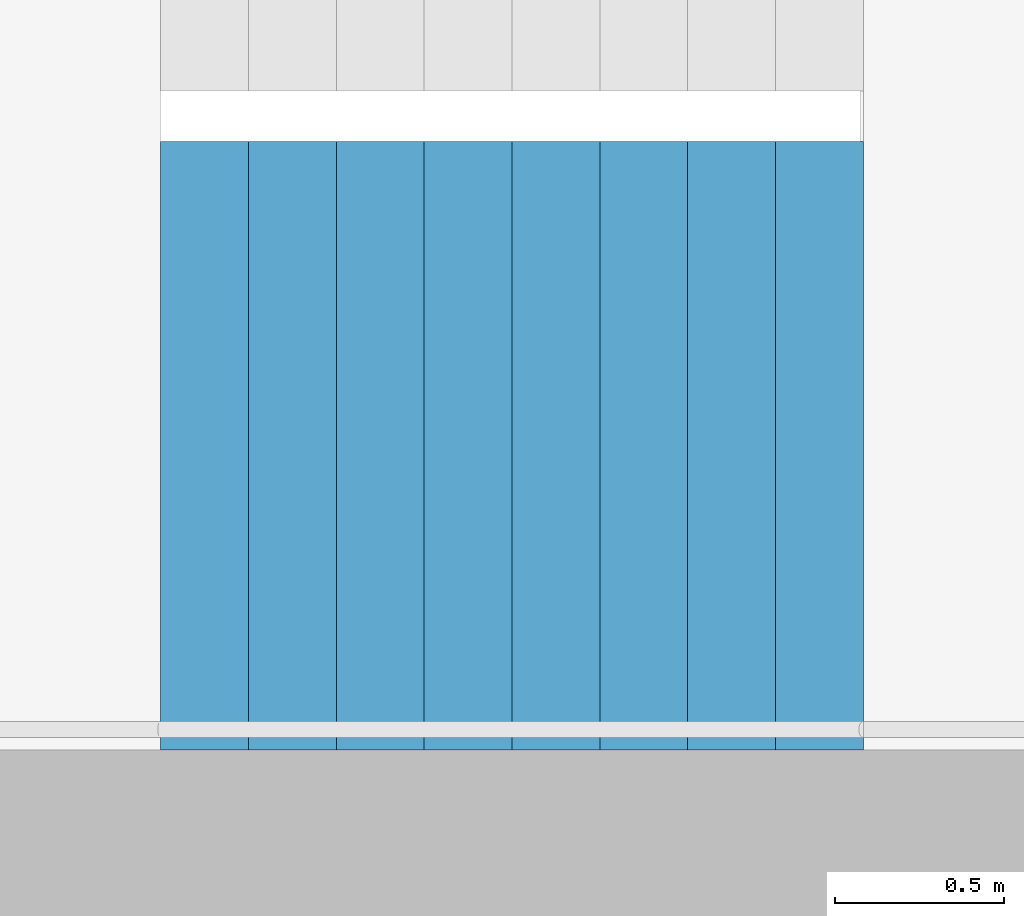
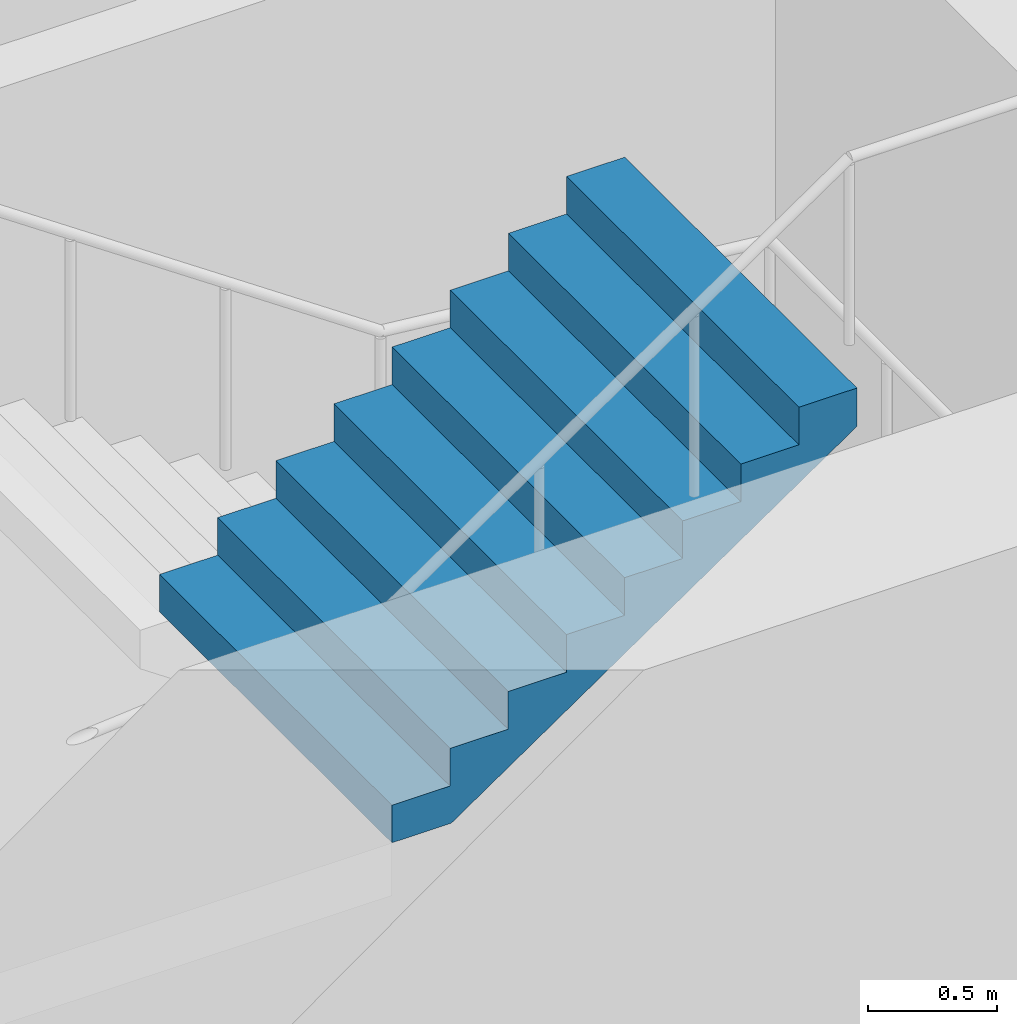
# One storey, part 16 of 41: 1 stair flight, 1 element without a shape of its own.
"""IFC4 building model written with IfcOpenShell, lengths in metres."""

from ifc_helpers import new_model, si_unit, direction, frame, origin, place, context, subcontext, project, spatial, triangles, material, type_object, element, aggregate, save


model = new_model("IFC4")

# Units and contexts
model_context = context("Model", 3, precision=1e-05, world=origin(), true_north=direction((0.0, 1.0)))
body_context = subcontext(model_context, "Body", "Model", "MODEL_VIEW")
ifc_project = project(units=[si_unit("LENGTHUNIT", "METRE"), si_unit("AREAUNIT", "SQUARE_METRE"), si_unit("VOLUMEUNIT", "CUBIC_METRE"), si_unit("PLANEANGLEUNIT", "RADIAN"), si_unit("MASSUNIT", "GRAM", prefix="KILO")], contexts=[model_context])

# Site, building, storey
site_placement = place(None, origin())
site = spatial("IfcSite", under=ifc_project, at=site_placement, CompositionType="ELEMENT")
building_placement = place(site_placement, origin())
building = spatial("IfcBuilding", under=site, at=building_placement, Name="Hakoniwa Tower and Hamabe Station Hall", CompositionType="ELEMENT")
storey_placement = place(building_placement, frame((0.0, 0.0, 180.199951171875)))
storey = spatial("IfcBuildingStorey", under=building, at=storey_placement, Name="L51", CompositionType="ELEMENT", Elevation=180.199951171875)

# Stair, stair flight
ifc_material_1 = material(Name="Concrete C40", Category="concrete")
stair_type = type_object("IfcStairType", Name="ESCAPE STAIR 1800", PredefinedType="HALF_TURN_STAIR", material=ifc_material_1)
stair_placement = place(storey_placement, origin())
stair = element("IfcStair", 1, at=stair_placement, inside=storey, type_object=stair_type, Name="Escape stair ST-2 L51", PredefinedType="HALF_TURN_STAIR")
ifc_material_2 = material(Name="Concrete C40", Category="concrete")
stair_flight_type = type_object("IfcStairFlightType", Name="STAIR FLIGHT 1800", PredefinedType="STRAIGHT", material=ifc_material_2)
stair_flight_placement = place(storey_placement, frame((-25.47998046875, -6.60009765625, 4.800048828125), z_axis=(0.0, 0.0, 1.0), x_axis=(1.0, 0.0, 0.0)))
stair_flight = element("IfcStairFlight", 2, at=stair_flight_placement, type_object=stair_flight_type, Name="ST-2 flight 4", NumberOfRisers=9, NumberOfTreads=8, PredefinedType="STRAIGHT", RiserHeight=0.177777778, TreadLength=0.26, context=body_context, shape_type="Tessellation", body=[
    triangles([(0.0, 0.89990234375, 0.0), (0.260009765625, 0.89990234375, 0.0), (0.265625, 0.89990234375, 0.0), (0.52001953125, 0.89990234375, 0.174072265625), (0.780029296875, 0.89990234375, 0.351806640625), (1.0400390625, 0.89990234375, 0.529541015625), (1.300048828125, 0.89990234375, 0.707275390625), (1.56005859375, 0.89990234375, 0.885009765625), (1.820068359375, 0.89990234375, 1.062744140625), (2.080078125, 0.89990234375, 1.24072265625), (2.080078125, 0.89990234375, 1.422119140625), (1.820068359375, 0.89990234375, 1.422119140625), (1.820068359375, 0.89990234375, 1.244384765625), (1.56005859375, 0.89990234375, 1.244384765625), (1.56005859375, 0.89990234375, 1.066650390625), (1.300048828125, 0.89990234375, 1.066650390625), (1.300048828125, 0.89990234375, 0.888916015625), (1.0400390625, 0.89990234375, 0.888916015625), (1.0400390625, 0.89990234375, 0.711181640625), (0.780029296875, 0.89990234375, 0.711181640625), (0.780029296875, 0.89990234375, 0.533447265625), (0.52001953125, 0.89990234375, 0.533447265625), (0.52001953125, 0.89990234375, 0.35546875), (0.265625, 0.89990234375, 0.35546875), (0.260009765625, 0.89990234375, 0.35546875), (0.260009765625, 0.89990234375, 0.177734375), (0.0, 0.89990234375, 0.177734375), (0.0, 0.06005859375, 0.0), (0.260009765625, 0.06005859375, 0.0), (0.265625, 0.06005859375, 0.0), (0.52001953125, 0.06005859375, 0.174072265625), (0.780029296875, 0.06005859375, 0.351806640625), (1.0400390625, 0.06005859375, 0.529541015625), (1.300048828125, 0.06005859375, 0.707275390625), (1.56005859375, 0.06005859375, 0.885009765625), (1.820068359375, 0.06005859375, 1.062744140625), (2.080078125, 0.06005859375, 1.24072265625), (2.080078125, 0.06005859375, 1.422119140625), (1.820068359375, 0.06005859375, 1.422119140625), (1.820068359375, 0.06005859375, 1.244384765625), (1.56005859375, 0.06005859375, 1.244384765625), (1.56005859375, 0.06005859375, 1.066650390625), (1.300048828125, 0.06005859375, 1.066650390625), (1.300048828125, 0.06005859375, 0.888916015625), (1.0400390625, 0.06005859375, 0.888916015625), (1.0400390625, 0.06005859375, 0.711181640625), (0.780029296875, 0.06005859375, 0.711181640625), (0.780029296875, 0.06005859375, 0.533447265625), (0.52001953125, 0.06005859375, 0.533447265625), (0.52001953125, 0.06005859375, 0.35546875), (0.265625, 0.06005859375, 0.35546875), (0.260009765625, 0.06005859375, 0.35546875), (0.260009765625, 0.06005859375, 0.177734375), (0.0, 0.06005859375, 0.177734375), (0.0, 0.04296875, 0.0), (0.260009765625, 0.04296875, 0.0), (0.265625, 0.04296875, 0.0), (0.52001953125, 0.04296875, 0.174072265625), (0.780029296875, 0.04296875, 0.351806640625), (1.0400390625, 0.04296875, 0.529541015625), (1.300048828125, 0.04296875, 0.707275390625), (1.56005859375, 0.04296875, 0.885009765625), (1.820068359375, 0.04296875, 1.062744140625), (2.080078125, 0.04296875, 1.24072265625), (2.080078125, 0.04296875, 1.422119140625), (1.820068359375, 0.04296875, 1.422119140625), (1.820068359375, 0.04296875, 1.244384765625), (1.56005859375, 0.04296875, 1.244384765625), (1.56005859375, 0.04296875, 1.066650390625), (1.300048828125, 0.04296875, 1.066650390625), (1.300048828125, 0.04296875, 0.888916015625), (1.0400390625, 0.04296875, 0.888916015625), (1.0400390625, 0.04296875, 0.711181640625), (0.780029296875, 0.04296875, 0.711181640625), (0.780029296875, 0.04296875, 0.533447265625), (0.52001953125, 0.04296875, 0.533447265625), (0.52001953125, 0.04296875, 0.35546875), (0.265625, 0.04296875, 0.35546875), (0.260009765625, 0.04296875, 0.35546875), (0.260009765625, 0.04296875, 0.177734375), (0.0, 0.04296875, 0.177734375), (0.0, 0.025634765625, 0.0), (0.260009765625, 0.025634765625, 0.0), (0.265625, 0.025634765625, 0.0), (0.52001953125, 0.025634765625, 0.174072265625), (0.780029296875, 0.025634765625, 0.351806640625), (1.0400390625, 0.025634765625, 0.529541015625), (1.300048828125, 0.025634765625, 0.707275390625), (1.56005859375, 0.025634765625, 0.885009765625), (1.820068359375, 0.025634765625, 1.062744140625), (2.080078125, 0.025634765625, 1.24072265625), (2.080078125, 0.025634765625, 1.422119140625), (1.820068359375, 0.025634765625, 1.422119140625), (1.820068359375, 0.025634765625, 1.244384765625), (1.56005859375, 0.025634765625, 1.244384765625), (1.56005859375, 0.025634765625, 1.066650390625), (1.300048828125, 0.025634765625, 1.066650390625), (1.300048828125, 0.025634765625, 0.888916015625), (1.0400390625, 0.025634765625, 0.888916015625), (1.0400390625, 0.025634765625, 0.711181640625), (0.780029296875, 0.025634765625, 0.711181640625), (0.780029296875, 0.025634765625, 0.533447265625), (0.52001953125, 0.025634765625, 0.533447265625), (0.52001953125, 0.025634765625, 0.35546875), (0.265625, 0.025634765625, 0.35546875), (0.260009765625, 0.025634765625, 0.35546875), (0.260009765625, 0.025634765625, 0.177734375), (0.0, 0.025634765625, 0.177734375), (0.0, 0.008544921875, 0.0), (0.260009765625, 0.008544921875, 0.0), (0.265625, 0.008544921875, 0.0), (0.52001953125, 0.008544921875, 0.174072265625), (0.780029296875, 0.008544921875, 0.351806640625), (1.0400390625, 0.008544921875, 0.529541015625), (1.300048828125, 0.008544921875, 0.707275390625), (1.56005859375, 0.008544921875, 0.885009765625), (1.820068359375, 0.008544921875, 1.062744140625), (2.080078125, 0.008544921875, 1.24072265625), (2.080078125, 0.008544921875, 1.422119140625), (1.820068359375, 0.008544921875, 1.422119140625), (1.820068359375, 0.008544921875, 1.244384765625), (1.56005859375, 0.008544921875, 1.244384765625), (1.56005859375, 0.008544921875, 1.066650390625), (1.300048828125, 0.008544921875, 1.066650390625), (1.300048828125, 0.008544921875, 0.888916015625), (1.0400390625, 0.008544921875, 0.888916015625), (1.0400390625, 0.008544921875, 0.711181640625), (0.780029296875, 0.008544921875, 0.711181640625), (0.780029296875, 0.008544921875, 0.533447265625), (0.52001953125, 0.008544921875, 0.533447265625), (0.52001953125, 0.008544921875, 0.35546875), (0.265625, 0.008544921875, 0.35546875), (0.260009765625, 0.008544921875, 0.35546875), (0.260009765625, 0.008544921875, 0.177734375), (0.0, 0.008544921875, 0.177734375), (0.0, -0.008544921875, 0.0), (0.260009765625, -0.008544921875, 0.0), (0.265625, -0.008544921875, 0.0), (0.52001953125, -0.008544921875, 0.174072265625), (0.780029296875, -0.008544921875, 0.351806640625), (1.0400390625, -0.008544921875, 0.529541015625), (1.300048828125, -0.008544921875, 0.707275390625), (1.56005859375, -0.008544921875, 0.885009765625), (1.820068359375, -0.008544921875, 1.062744140625), (2.080078125, -0.008544921875, 1.24072265625), (2.080078125, -0.008544921875, 1.422119140625), (1.820068359375, -0.008544921875, 1.422119140625), (1.820068359375, -0.008544921875, 1.244384765625), (1.56005859375, -0.008544921875, 1.244384765625), (1.56005859375, -0.008544921875, 1.066650390625), (1.300048828125, -0.008544921875, 1.066650390625), (1.300048828125, -0.008544921875, 0.888916015625), (1.0400390625, -0.008544921875, 0.888916015625), (1.0400390625, -0.008544921875, 0.711181640625), (0.780029296875, -0.008544921875, 0.711181640625), (0.780029296875, -0.008544921875, 0.533447265625), (0.52001953125, -0.008544921875, 0.533447265625), (0.52001953125, -0.008544921875, 0.35546875), (0.265625, -0.008544921875, 0.35546875), (0.260009765625, -0.008544921875, 0.35546875), (0.260009765625, -0.008544921875, 0.177734375), (0.0, -0.008544921875, 0.177734375), (0.0, -0.025634765625, 0.0), (0.260009765625, -0.025634765625, 0.0), (0.265625, -0.025634765625, 0.0), (0.52001953125, -0.025634765625, 0.174072265625), (0.780029296875, -0.025634765625, 0.351806640625), (1.0400390625, -0.025634765625, 0.529541015625), (1.300048828125, -0.025634765625, 0.707275390625), (1.56005859375, -0.025634765625, 0.885009765625), (1.820068359375, -0.025634765625, 1.062744140625), (2.080078125, -0.025634765625, 1.24072265625), (2.080078125, -0.025634765625, 1.422119140625), (1.820068359375, -0.025634765625, 1.422119140625), (1.820068359375, -0.025634765625, 1.244384765625), (1.56005859375, -0.025634765625, 1.244384765625), (1.56005859375, -0.025634765625, 1.066650390625), (1.300048828125, -0.025634765625, 1.066650390625), (1.300048828125, -0.025634765625, 0.888916015625), (1.0400390625, -0.025634765625, 0.888916015625), (1.0400390625, -0.025634765625, 0.711181640625), (0.780029296875, -0.025634765625, 0.711181640625), (0.780029296875, -0.025634765625, 0.533447265625), (0.52001953125, -0.025634765625, 0.533447265625), (0.52001953125, -0.025634765625, 0.35546875), (0.265625, -0.025634765625, 0.35546875), (0.260009765625, -0.025634765625, 0.35546875), (0.260009765625, -0.025634765625, 0.177734375), (0.0, -0.025634765625, 0.177734375), (0.0, -0.04296875, 0.0), (0.260009765625, -0.04296875, 0.0), (0.265625, -0.04296875, 0.0), (0.52001953125, -0.04296875, 0.174072265625), (0.780029296875, -0.04296875, 0.351806640625), (1.0400390625, -0.04296875, 0.529541015625), (1.300048828125, -0.04296875, 0.707275390625), (1.56005859375, -0.04296875, 0.885009765625), (1.820068359375, -0.04296875, 1.062744140625), (2.080078125, -0.04296875, 1.24072265625), (2.080078125, -0.04296875, 1.422119140625), (1.820068359375, -0.04296875, 1.422119140625), (1.820068359375, -0.04296875, 1.244384765625), (1.56005859375, -0.04296875, 1.244384765625), (1.56005859375, -0.04296875, 1.066650390625), (1.300048828125, -0.04296875, 1.066650390625), (1.300048828125, -0.04296875, 0.888916015625), (1.0400390625, -0.04296875, 0.888916015625), (1.0400390625, -0.04296875, 0.711181640625), (0.780029296875, -0.04296875, 0.711181640625), (0.780029296875, -0.04296875, 0.533447265625), (0.52001953125, -0.04296875, 0.533447265625), (0.52001953125, -0.04296875, 0.35546875), (0.265625, -0.04296875, 0.35546875), (0.260009765625, -0.04296875, 0.35546875), (0.260009765625, -0.04296875, 0.177734375), (0.0, -0.04296875, 0.177734375), (0.0, -0.06005859375, 0.0), (0.260009765625, -0.06005859375, 0.0), (0.265625, -0.06005859375, 0.0), (0.52001953125, -0.06005859375, 0.174072265625), (0.780029296875, -0.06005859375, 0.351806640625), (1.0400390625, -0.06005859375, 0.529541015625), (1.300048828125, -0.06005859375, 0.707275390625), (1.56005859375, -0.06005859375, 0.885009765625), (1.820068359375, -0.06005859375, 1.062744140625), (2.080078125, -0.06005859375, 1.24072265625), (2.080078125, -0.06005859375, 1.422119140625), (1.820068359375, -0.06005859375, 1.422119140625), (1.820068359375, -0.06005859375, 1.244384765625), (1.56005859375, -0.06005859375, 1.244384765625), (1.56005859375, -0.06005859375, 1.066650390625), (1.300048828125, -0.06005859375, 1.066650390625), (1.300048828125, -0.06005859375, 0.888916015625), (1.0400390625, -0.06005859375, 0.888916015625), (1.0400390625, -0.06005859375, 0.711181640625), (0.780029296875, -0.06005859375, 0.711181640625), (0.780029296875, -0.06005859375, 0.533447265625), (0.52001953125, -0.06005859375, 0.533447265625), (0.52001953125, -0.06005859375, 0.35546875), (0.265625, -0.06005859375, 0.35546875), (0.260009765625, -0.06005859375, 0.35546875), (0.260009765625, -0.06005859375, 0.177734375), (0.0, -0.06005859375, 0.177734375), (0.0, -0.89990234375, 0.0), (0.260009765625, -0.89990234375, 0.0), (0.265625, -0.89990234375, 0.0), (0.52001953125, -0.89990234375, 0.174072265625), (0.780029296875, -0.89990234375, 0.351806640625), (1.0400390625, -0.89990234375, 0.529541015625), (1.300048828125, -0.89990234375, 0.707275390625), (1.56005859375, -0.89990234375, 0.885009765625), (1.820068359375, -0.89990234375, 1.062744140625), (2.080078125, -0.89990234375, 1.24072265625), (2.080078125, -0.89990234375, 1.422119140625), (1.820068359375, -0.89990234375, 1.422119140625), (1.820068359375, -0.89990234375, 1.244384765625), (1.56005859375, -0.89990234375, 1.244384765625), (1.56005859375, -0.89990234375, 1.066650390625), (1.300048828125, -0.89990234375, 1.066650390625), (1.300048828125, -0.89990234375, 0.888916015625), (1.0400390625, -0.89990234375, 0.888916015625), (1.0400390625, -0.89990234375, 0.711181640625), (0.780029296875, -0.89990234375, 0.711181640625), (0.780029296875, -0.89990234375, 0.533447265625), (0.52001953125, -0.89990234375, 0.533447265625), (0.52001953125, -0.89990234375, 0.35546875), (0.265625, -0.89990234375, 0.35546875), (0.260009765625, -0.89990234375, 0.35546875), (0.260009765625, -0.89990234375, 0.177734375), (0.0, -0.89990234375, 0.177734375)], [[2, 27, 26], [245, 269, 270], [2, 1, 27], [245, 270, 244], [3, 25, 24], [246, 267, 268], [3, 26, 25], [246, 268, 269], [3, 2, 26], [246, 269, 245], [4, 24, 23], [247, 266, 267], [4, 3, 24], [247, 267, 246], [5, 22, 21], [248, 264, 265], [5, 23, 22], [248, 265, 266], [5, 4, 23], [248, 266, 247], [6, 20, 19], [249, 262, 263], [6, 21, 20], [249, 263, 264], [6, 5, 21], [249, 264, 248], [7, 18, 17], [250, 260, 261], [7, 19, 18], [250, 261, 262], [7, 6, 19], [250, 262, 249], [8, 16, 15], [251, 258, 259], [8, 17, 16], [251, 259, 260], [8, 7, 17], [251, 260, 250], [9, 14, 13], [252, 256, 257], [9, 15, 14], [252, 257, 258], [9, 8, 15], [252, 258, 251], [10, 12, 11], [253, 254, 255], [10, 13, 12], [253, 255, 256], [10, 9, 13], [253, 256, 252], [1, 2, 29], [1, 29, 28], [28, 29, 56], [28, 56, 55], [55, 56, 83], [55, 83, 82], [82, 83, 110], [82, 110, 109], [109, 110, 137], [109, 137, 136], [136, 137, 164], [136, 164, 163], [163, 164, 191], [163, 191, 190], [190, 191, 218], [190, 218, 217], [217, 218, 245], [217, 245, 244], [2, 3, 30], [2, 30, 29], [29, 30, 57], [29, 57, 56], [56, 57, 84], [56, 84, 83], [83, 84, 111], [83, 111, 110], [110, 111, 138], [110, 138, 137], [137, 138, 165], [137, 165, 164], [164, 165, 192], [164, 192, 191], [191, 192, 219], [191, 219, 218], [218, 219, 246], [218, 246, 245], [3, 4, 31], [3, 31, 30], [30, 31, 58], [30, 58, 57], [57, 58, 85], [57, 85, 84], [84, 85, 112], [84, 112, 111], [111, 112, 139], [111, 139, 138], [138, 139, 166], [138, 166, 165], [165, 166, 193], [165, 193, 192], [192, 193, 220], [192, 220, 219], [219, 220, 247], [219, 247, 246], [4, 5, 32], [4, 32, 31], [31, 32, 59], [31, 59, 58], [58, 59, 86], [58, 86, 85], [85, 86, 113], [85, 113, 112], [112, 113, 140], [112, 140, 139], [139, 140, 167], [139, 167, 166], [166, 167, 194], [166, 194, 193], [193, 194, 221], [193, 221, 220], [220, 221, 248], [220, 248, 247], [5, 6, 33], [5, 33, 32], [32, 33, 60], [32, 60, 59], [59, 60, 87], [59, 87, 86], [86, 87, 114], [86, 114, 113], [113, 114, 141], [113, 141, 140], [140, 141, 168], [140, 168, 167], [167, 168, 195], [167, 195, 194], [194, 195, 222], [194, 222, 221], [221, 222, 249], [221, 249, 248], [6, 7, 34], [6, 34, 33], [33, 34, 61], [33, 61, 60], [60, 61, 88], [60, 88, 87], [87, 88, 115], [87, 115, 114], [114, 115, 142], [114, 142, 141], [141, 142, 169], [141, 169, 168], [168, 169, 196], [168, 196, 195], [195, 196, 223], [195, 223, 222], [222, 223, 250], [222, 250, 249], [7, 8, 35], [7, 35, 34], [34, 35, 62], [34, 62, 61], [61, 62, 89], [61, 89, 88], [88, 89, 116], [88, 116, 115], [115, 116, 143], [115, 143, 142], [142, 143, 170], [142, 170, 169], [169, 170, 197], [169, 197, 196], [196, 197, 224], [196, 224, 223], [223, 224, 251], [223, 251, 250], [8, 9, 36], [8, 36, 35], [35, 36, 63], [35, 63, 62], [62, 63, 90], [62, 90, 89], [89, 90, 117], [89, 117, 116], [116, 117, 144], [116, 144, 143], [143, 144, 171], [143, 171, 170], [170, 171, 198], [170, 198, 197], [197, 198, 225], [197, 225, 224], [224, 225, 252], [224, 252, 251], [9, 10, 37], [9, 37, 36], [36, 37, 64], [36, 64, 63], [63, 64, 91], [63, 91, 90], [90, 91, 118], [90, 118, 117], [117, 118, 145], [117, 145, 144], [144, 145, 172], [144, 172, 171], [171, 172, 199], [171, 199, 198], [198, 199, 226], [198, 226, 225], [225, 226, 253], [225, 253, 252], [10, 11, 38], [10, 38, 37], [37, 38, 65], [37, 65, 64], [64, 65, 92], [64, 92, 91], [91, 92, 119], [91, 119, 118], [118, 119, 146], [118, 146, 145], [145, 146, 173], [145, 173, 172], [172, 173, 200], [172, 200, 199], [199, 200, 227], [199, 227, 226], [226, 227, 254], [226, 254, 253], [11, 12, 39], [11, 39, 38], [38, 39, 66], [38, 66, 65], [65, 66, 93], [65, 93, 92], [92, 93, 120], [92, 120, 119], [119, 120, 147], [119, 147, 146], [146, 147, 174], [146, 174, 173], [173, 174, 201], [173, 201, 200], [200, 201, 228], [200, 228, 227], [227, 228, 255], [227, 255, 254], [12, 13, 40], [12, 40, 39], [39, 40, 67], [39, 67, 66], [66, 67, 94], [66, 94, 93], [93, 94, 121], [93, 121, 120], [120, 121, 148], [120, 148, 147], [147, 148, 175], [147, 175, 174], [174, 175, 202], [174, 202, 201], [201, 202, 229], [201, 229, 228], [228, 229, 256], [228, 256, 255], [13, 14, 41], [13, 41, 40], [40, 41, 68], [40, 68, 67], [67, 68, 95], [67, 95, 94], [94, 95, 122], [94, 122, 121], [121, 122, 149], [121, 149, 148], [148, 149, 176], [148, 176, 175], [175, 176, 203], [175, 203, 202], [202, 203, 230], [202, 230, 229], [229, 230, 257], [229, 257, 256], [14, 15, 42], [14, 42, 41], [41, 42, 69], [41, 69, 68], [68, 69, 96], [68, 96, 95], [95, 96, 123], [95, 123, 122], [122, 123, 150], [122, 150, 149], [149, 150, 177], [149, 177, 176], [176, 177, 204], [176, 204, 203], [203, 204, 231], [203, 231, 230], [230, 231, 258], [230, 258, 257], [15, 16, 43], [15, 43, 42], [42, 43, 70], [42, 70, 69], [69, 70, 97], [69, 97, 96], [96, 97, 124], [96, 124, 123], [123, 124, 151], [123, 151, 150], [150, 151, 178], [150, 178, 177], [177, 178, 205], [177, 205, 204], [204, 205, 232], [204, 232, 231], [231, 232, 259], [231, 259, 258], [16, 17, 44], [16, 44, 43], [43, 44, 71], [43, 71, 70], [70, 71, 98], [70, 98, 97], [97, 98, 125], [97, 125, 124], [124, 125, 152], [124, 152, 151], [151, 152, 179], [151, 179, 178], [178, 179, 206], [178, 206, 205], [205, 206, 233], [205, 233, 232], [232, 233, 260], [232, 260, 259], [17, 18, 45], [17, 45, 44], [44, 45, 72], [44, 72, 71], [71, 72, 99], [71, 99, 98], [98, 99, 126], [98, 126, 125], [125, 126, 153], [125, 153, 152], [152, 153, 180], [152, 180, 179], [179, 180, 207], [179, 207, 206], [206, 207, 234], [206, 234, 233], [233, 234, 261], [233, 261, 260], [18, 19, 46], [18, 46, 45], [45, 46, 73], [45, 73, 72], [72, 73, 100], [72, 100, 99], [99, 100, 127], [99, 127, 126], [126, 127, 154], [126, 154, 153], [153, 154, 181], [153, 181, 180], [180, 181, 208], [180, 208, 207], [207, 208, 235], [207, 235, 234], [234, 235, 262], [234, 262, 261], [19, 20, 47], [19, 47, 46], [46, 47, 74], [46, 74, 73], [73, 74, 101], [73, 101, 100], [100, 101, 128], [100, 128, 127], [127, 128, 155], [127, 155, 154], [154, 155, 182], [154, 182, 181], [181, 182, 209], [181, 209, 208], [208, 209, 236], [208, 236, 235], [235, 236, 263], [235, 263, 262], [20, 21, 48], [20, 48, 47], [47, 48, 75], [47, 75, 74], [74, 75, 102], [74, 102, 101], [101, 102, 129], [101, 129, 128], [128, 129, 156], [128, 156, 155], [155, 156, 183], [155, 183, 182], [182, 183, 210], [182, 210, 209], [209, 210, 237], [209, 237, 236], [236, 237, 264], [236, 264, 263], [21, 22, 49], [21, 49, 48], [48, 49, 76], [48, 76, 75], [75, 76, 103], [75, 103, 102], [102, 103, 130], [102, 130, 129], [129, 130, 157], [129, 157, 156], [156, 157, 184], [156, 184, 183], [183, 184, 211], [183, 211, 210], [210, 211, 238], [210, 238, 237], [237, 238, 265], [237, 265, 264], [22, 23, 50], [22, 50, 49], [49, 50, 77], [49, 77, 76], [76, 77, 104], [76, 104, 103], [103, 104, 131], [103, 131, 130], [130, 131, 158], [130, 158, 157], [157, 158, 185], [157, 185, 184], [184, 185, 212], [184, 212, 211], [211, 212, 239], [211, 239, 238], [238, 239, 266], [238, 266, 265], [23, 24, 51], [23, 51, 50], [50, 51, 78], [50, 78, 77], [77, 78, 105], [77, 105, 104], [104, 105, 132], [104, 132, 131], [131, 132, 159], [131, 159, 158], [158, 159, 186], [158, 186, 185], [185, 186, 213], [185, 213, 212], [212, 213, 240], [212, 240, 239], [239, 240, 267], [239, 267, 266], [24, 25, 52], [24, 52, 51], [51, 52, 79], [51, 79, 78], [78, 79, 106], [78, 106, 105], [105, 106, 133], [105, 133, 132], [132, 133, 160], [132, 160, 159], [159, 160, 187], [159, 187, 186], [186, 187, 214], [186, 214, 213], [213, 214, 241], [213, 241, 240], [240, 241, 268], [240, 268, 267], [25, 26, 53], [25, 53, 52], [52, 53, 80], [52, 80, 79], [79, 80, 107], [79, 107, 106], [106, 107, 134], [106, 134, 133], [133, 134, 161], [133, 161, 160], [160, 161, 188], [160, 188, 187], [187, 188, 215], [187, 215, 214], [214, 215, 242], [214, 242, 241], [241, 242, 269], [241, 269, 268], [26, 27, 54], [26, 54, 53], [53, 54, 81], [53, 81, 80], [80, 81, 108], [80, 108, 107], [107, 108, 135], [107, 135, 134], [134, 135, 162], [134, 162, 161], [161, 162, 189], [161, 189, 188], [188, 189, 216], [188, 216, 215], [215, 216, 243], [215, 243, 242], [242, 243, 270], [242, 270, 269], [27, 1, 28], [27, 28, 54], [54, 28, 55], [54, 55, 81], [81, 55, 82], [81, 82, 108], [108, 82, 109], [108, 109, 135], [135, 109, 136], [135, 136, 162], [162, 136, 163], [162, 163, 189], [189, 163, 190], [189, 190, 216], [216, 190, 217], [216, 217, 243], [243, 217, 244], [243, 244, 270]], closed=True),
])
aggregate(stair, [stair_flight])

save(model, "model.ifc")
